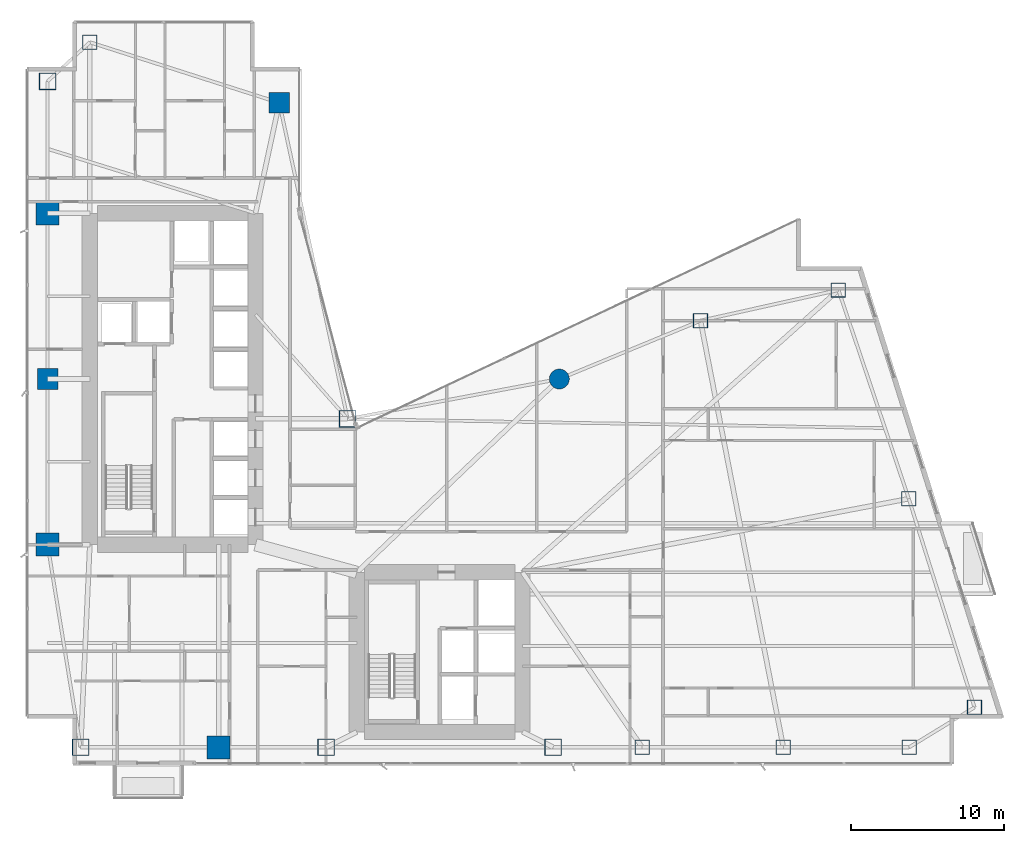
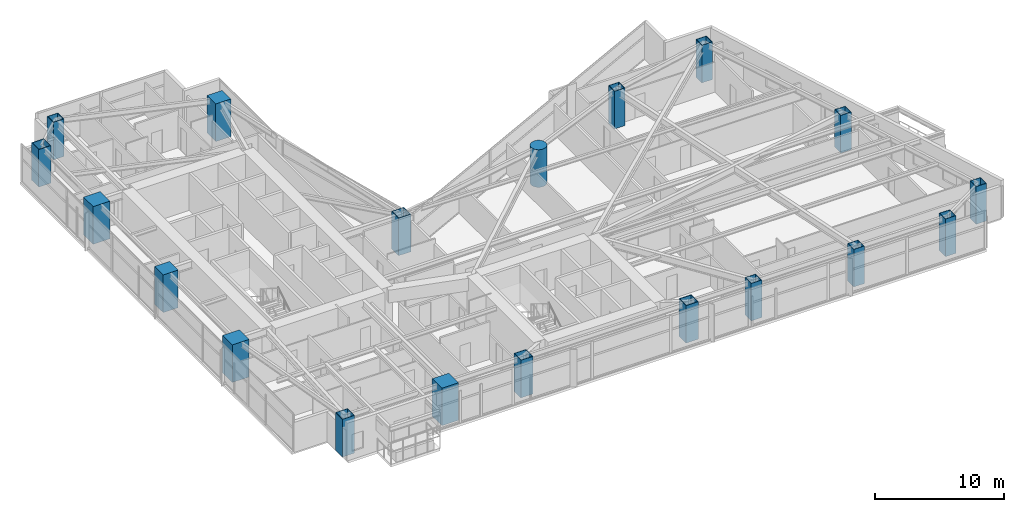
# One storey, part 1 of 29: 19 columns.
"""IFC4 building model written with IfcOpenShell, lengths in metres."""

import ifcopenshell
import ifcopenshell.guid

model = None  # the IFC model being written
_history = None  # IfcOwnerHistory: only IFC2X3 demands one
_inside = {}  # id of a spatial element -> (the spatial element, [elements in it])
_under = {}  # id of a project, library or spatial element -> (it, [spatial elements below it])
_declared = {}  # id of a project -> (the project, [libraries it declares])
_typed = {}  # id of a type object -> (the type object, [elements of that type])
_made_of = {}  # id of a material, layer set ... -> (it, [elements and type objects made of it])


def new_model(schema):
    """Start an empty IFC model of exactly this schema.

    Asked for "IFC4X3", IfcOpenShell would pick the latest addendum, in which some entities
    have other attributes; the version numbers below select the first issue.
    IFC2X3 requires an IfcOwnerHistory on every rooted entity: one is made here for all.
    """
    global model, _history
    if schema == "IFC4X3":
        model = ifcopenshell.file(schema_version=(4, 3, 0, 0))
    else:
        model = ifcopenshell.file(schema=schema)
    _inside.clear()
    _under.clear()
    _declared.clear()
    _typed.clear()
    _made_of.clear()
    _history = None
    if model.schema == "IFC2X3":
        org = make("IfcOrganization", Name="unknown")
        user = make(
            "IfcPersonAndOrganization",
            ThePerson=make("IfcPerson", FamilyName="unknown"),
            TheOrganization=org,
        )
        app = make(
            "IfcApplication",
            ApplicationDeveloper=org,
            Version="unknown",
            ApplicationFullName="unknown",
            ApplicationIdentifier="unknown",
        )
        _history = make(
            "IfcOwnerHistory",
            OwningUser=user,
            OwningApplication=app,
            ChangeAction="ADDED",
            CreationDate=0,
        )
    return model


def make(cls, **values):
    """One entity of the class cls with the attributes given. An attribute that is None is left unset."""
    return model.create_entity(
        cls, **{name: value for name, value in values.items() if value is not None}
    )


def rooted(cls, **values):
    """An entity with a GlobalId (a new one), such as an element, a storey or a relation."""
    return make(cls, GlobalId=ifcopenshell.guid.new(), OwnerHistory=_history, **values)


def si_unit(unit_type, name, prefix=None):
    """IfcSIUnit, for example si_unit("LENGTHUNIT", "METRE", prefix="MILLI")."""
    return make("IfcSIUnit", UnitType=unit_type, Prefix=prefix, Name=name)


def assignment(units):
    """IfcUnitAssignment: the units of a project."""
    return None if units is None else make("IfcUnitAssignment", Units=units)


def point(xyz):
    """IfcCartesianPoint."""
    return None if xyz is None else make("IfcCartesianPoint", Coordinates=xyz)


def direction(xyz):
    """IfcDirection."""
    return None if xyz is None else make("IfcDirection", DirectionRatios=xyz)


def frame(location, z_axis=None, x_axis=None):
    """IfcAxis2Placement3D, a coordinate frame: its origin and axes. An axis left out is left unset."""
    return make(
        "IfcAxis2Placement3D",
        Location=point(location),
        Axis=direction(z_axis),
        RefDirection=direction(x_axis),
    )


def frame_2d(location, x_axis=None):
    """IfcAxis2Placement2D, a coordinate frame in the plane: its origin and x axis."""
    return make(
        "IfcAxis2Placement2D", Location=point(location), RefDirection=direction(x_axis)
    )


def origin():
    """The frame at (0, 0, 0) with its axes left unset."""
    return frame((0.0, 0.0, 0.0))


def origin_2d():
    """The frame at (0, 0) in the plane with its x axis left unset."""
    return frame_2d((0.0, 0.0))


def place(relative_to, where):
    """IfcLocalPlacement: puts the frame where relative to a parent placement (None: the world)."""
    return make(
        "IfcLocalPlacement", PlacementRelTo=relative_to, RelativePlacement=where
    )


def context(
    kind, dimensions, precision=None, world=None, true_north=None, identifier=None
):
    """IfcGeometricRepresentationContext, for example the 3D "Model" context."""
    return make(
        "IfcGeometricRepresentationContext",
        ContextIdentifier=identifier,
        ContextType=kind,
        CoordinateSpaceDimension=dimensions,
        Precision=precision,
        WorldCoordinateSystem=world,
        TrueNorth=true_north,
    )


def subcontext(parent, identifier, kind, view, scale=None):
    """IfcGeometricRepresentationSubContext, for example "Body" below "Model"."""
    return make(
        "IfcGeometricRepresentationSubContext",
        ContextIdentifier=identifier,
        ContextType=kind,
        ParentContext=parent,
        TargetScale=scale,
        TargetView=view,
    )


def project(units=None, contexts=None):
    """IfcProject with its units and contexts."""
    return rooted(
        "IfcProject",
        Name="project",
        RepresentationContexts=contexts,
        UnitsInContext=assignment(units),
    )


def spatial(cls, under=None, at=None, **own):
    """A site, building, storey or space (cls), placed at a placement, below another one or the project."""
    s = rooted(cls, ObjectPlacement=at, **own)
    if under is not None:
        _under.setdefault(under.id(), (under, []))[1].append(s)
    return s


def profile(cls, at=None, kind="AREA", **sizes):
    """A parametric profile (cls). Its sizes go by their IFC names, for example OverallWidth=200.0."""
    return make(cls, ProfileType=kind, Position=at, **sizes)


def rectangle(**sizes):
    """IfcRectangleProfileDef."""
    return profile("IfcRectangleProfileDef", **sizes)


def hollow_rectangle(**sizes):
    """IfcRectangleHollowProfileDef."""
    return profile("IfcRectangleHollowProfileDef", **sizes)


def circle(**sizes):
    """IfcCircleProfileDef."""
    return profile("IfcCircleProfileDef", **sizes)


def extrude(swept, where, along, depth):
    """IfcExtrudedAreaSolid: the profile swept, set in the frame where, extruded along a direction by depth."""
    return make(
        "IfcExtrudedAreaSolid",
        SweptArea=swept,
        Position=where,
        ExtrudedDirection=direction(along),
        Depth=depth,
    )


def shape(context_of_items, identifier, shape_type, items):
    """IfcShapeRepresentation: the items that make up one representation, for example the "Body"."""
    return make(
        "IfcShapeRepresentation",
        ContextOfItems=context_of_items,
        RepresentationIdentifier=identifier,
        RepresentationType=shape_type,
        Items=items,
    )


def material(Name=None, Category=None):
    """IfcMaterial."""
    return make("IfcMaterial", Name=Name, Category=Category)


def material_profile(
    of_material, cross_section, Name=None, Category=None, Priority=None
):
    """IfcMaterialProfile: a cross section and its material."""
    return make(
        "IfcMaterialProfile",
        Name=Name,
        Material=of_material,
        Profile=cross_section,
        Priority=Priority,
        Category=Category,
    )


def profile_set(profiles, Name=None, composite=None):
    """IfcMaterialProfileSet."""
    return make(
        "IfcMaterialProfileSet",
        Name=Name,
        MaterialProfiles=profiles,
        CompositeProfile=composite,
    )


def made_of(thing, what):
    """Note that an element or type object is made of a material, layer set ...; save() writes the relation."""
    if what is not None:
        _made_of.setdefault(what.id(), (what, []))[1].append(thing)
    return thing


def type_object(cls, material=None, **own):
    """A type object (cls), such as IfcWallType, which elements share."""
    return made_of(rooted(cls, **own), material)


def element(
    cls,
    number,
    at=None,
    inside=None,
    cuts=None,
    type_object=None,
    material=None,
    context=None,
    identifier="Body",
    shape_type=None,
    held_by="IfcProductDefinitionShape",
    body=None,
    shapes=None,
    **own,
):
    """One element of the class cls, such as IfcWall. Its Tag is "e" and its number.

    at: its placement. inside: the storey or other place that contains it. cuts: it is an
    opening in that element (IfcRelVoidsElement). A single representation is given by context,
    identifier, shape_type and body (its items); several are given by shapes. held_by: the class
    of the entity that holds the representations. save() writes the other relations.
    """
    e = rooted(cls, Tag="e%d" % number, ObjectPlacement=at, **own)
    if body is not None:
        shapes = [shape(context, identifier, shape_type, body)]
    if shapes is not None:
        e.Representation = make(held_by, Representations=shapes)
    if inside is not None:
        _inside.setdefault(inside.id(), (inside, []))[1].append(e)
    if cuts is not None:
        rooted(
            "IfcRelVoidsElement", RelatingBuildingElement=cuts, RelatedOpeningElement=e
        )
    if type_object is not None:
        _typed.setdefault(type_object.id(), (type_object, []))[1].append(e)
    return made_of(e, material)


def aggregate(whole, parts):
    """IfcRelAggregates: a whole, such as a stair, and the parts it consists of."""
    return rooted("IfcRelAggregates", RelatingObject=whole, RelatedObjects=parts)


def save(model, path):
    """Write the relations noted so far, then the file.

    IfcRelAggregates (storeys below a building ...), IfcRelContainedInSpatialStructure (elements
    in a storey), IfcRelDefinesByType, IfcRelAssociatesMaterial and IfcRelDeclares: one each for
    every whole, place, type object, material and project.
    """
    for whole, parts in _under.values():
        aggregate(whole, parts)
    for where, things in _inside.values():
        rooted(
            "IfcRelContainedInSpatialStructure",
            RelatedElements=things,
            RelatingStructure=where,
        )
    for kind, things in _typed.values():
        rooted("IfcRelDefinesByType", RelatedObjects=things, RelatingType=kind)
    for what, things in _made_of.values():
        rooted("IfcRelAssociatesMaterial", RelatedObjects=things, RelatingMaterial=what)
    for by, libraries in _declared.values():
        rooted("IfcRelDeclares", RelatingContext=by, RelatedDefinitions=libraries)
    model.write(path)


model = new_model("IFC4")

# Units and contexts
model_context = context("Model", 3, precision=1e-05, world=origin(), true_north=direction((0.0, 1.0)))
body_context = subcontext(model_context, "Body", "Model", "MODEL_VIEW")
ifc_project = project(units=[si_unit("LENGTHUNIT", "METRE"), si_unit("AREAUNIT", "SQUARE_METRE"), si_unit("VOLUMEUNIT", "CUBIC_METRE"), si_unit("PLANEANGLEUNIT", "RADIAN"), si_unit("MASSUNIT", "GRAM", prefix="KILO")], contexts=[model_context])

# Site, building, storey
site_placement = place(None, origin())
site = spatial("IfcSite", under=ifc_project, at=site_placement, CompositionType="ELEMENT")
building_placement = place(site_placement, origin())
building = spatial("IfcBuilding", under=site, at=building_placement, Name="Calvorn Quay Hotel", CompositionType="ELEMENT")
storey_placement = place(building_placement, frame((0.0, 0.0, 58.39990234375)))
storey = spatial("IfcBuildingStorey", under=building, at=storey_placement, Name="L13", CompositionType="ELEMENT", Elevation=58.39990234375)

# Columns
ifc_material_1 = material(Name="Concrete C60", Category="concrete")
ifc_material_profile_1 = material_profile(ifc_material_1, rectangle(XDim=1.35009765625, YDim=1.35009765625, at=origin_2d()), Name="RC1350x1350")
ifc_profile_set_1 = profile_set([ifc_material_profile_1], Name="Concrete C60")
column_type_1 = type_object("IfcColumnType", Name="COL-RC-1350", PredefinedType="COLUMN", material=ifc_profile_set_1)
for number, where, z_axis, x_axis, name in (
    (1, (1.449951171875, 27.60009765625, 0.0), (0.0, 0.0, 1.0), (1.0, 0.0, 0.0), "Column C-W3 (L13)"),
    (2, (16.550048828125, 45.60009765625, 0.0), (0.0, 0.0, 1.0), (1.0, 0.0, 0.0), "Column C-IC1 (L13)"),
):
    element("IfcColumn", number, at=place(storey_placement, frame(where, z_axis=z_axis, x_axis=x_axis)), inside=storey, type_object=column_type_1, Name=name, PredefinedType="COLUMN", context=body_context, shape_type="SweptSolid", body=[
        extrude(rectangle(XDim=1.35009765625, YDim=1.35009765625, at=origin_2d()), origin(), (0.0, 0.0, 1.0), 3.56005859375),
    ])
ifc_material_2 = material(Name="Concrete C60", Category="concrete")
ifc_material_profile_2 = material_profile(ifc_material_2, rectangle(XDim=1.5, YDim=1.5, at=origin_2d()), Name="RC1500x1500")
ifc_profile_set_2 = profile_set([ifc_material_profile_2], Name="Concrete C60")
column_type_2 = type_object("IfcColumnType", Name="COL-RC-1500", PredefinedType="COLUMN", material=ifc_profile_set_2)
for number, where, z_axis, x_axis, name in (
    (3, (1.449951171875, 16.800048828125, 0.0), (0.0, 0.0, 1.0), (1.0, 0.0, 0.0), "Column C-W2 (L13)"),
    (4, (1.449951171875, 38.39990234375, 0.0), (0.0, 0.0, 1.0), (1.0, 0.0, 0.0), "Column C-W4 (L13)"),
    (5, (12.60009765625, 3.60009765625, 0.0), (0.0, 0.0, 1.0), (1.0, 0.0, 0.0), "Column C-S1 (L13)"),
):
    element("IfcColumn", number, at=place(storey_placement, frame(where, z_axis=z_axis, x_axis=x_axis)), inside=storey, type_object=column_type_2, Name=name, PredefinedType="COLUMN", context=body_context, shape_type="SweptSolid", body=[
        extrude(rectangle(XDim=1.5, YDim=1.5, at=origin_2d()), origin(), (0.0, 0.0, 1.0), 3.56005859375),
    ])
ifc_material_3 = material(Name="Concrete C60", Category="concrete")
ifc_material_profile_3 = material_profile(ifc_material_3, circle(Radius=0.64990234375, at=origin_2d()), Name="RCD1300")
ifc_profile_set_3 = profile_set([ifc_material_profile_3], Name="Concrete C60")
column_type_3 = type_object("IfcColumnType", Name="COL-RC-D1300", PredefinedType="COLUMN", material=ifc_profile_set_3)
column_placement = place(storey_placement, frame((34.800048828125, 27.60009765625, 0.0), z_axis=(0.0, 0.0, 1.0), x_axis=(1.0, 0.0, 0.0)))
element("IfcColumn", 6, at=column_placement, inside=storey, type_object=column_type_3, Name="Column C-NC1 (L13)", PredefinedType="COLUMN", context=body_context, shape_type="SweptSolid", body=[
    extrude(circle(Radius=0.64990234375, at=origin_2d()), origin(), (0.0, 0.0, 1.0), 3.56005859375),
])
ifc_material_4 = material(Name="Steel Q420GJC", Category="steel")
ifc_material_profile_4 = material_profile(ifc_material_4, hollow_rectangle(XDim=1.10009765625, YDim=1.10009765625, WallThickness=0.044921875, at=origin_2d()), Name="BOX1100x1100x45")
ifc_profile_set_4 = profile_set([ifc_material_profile_4], Name="Steel Q420GJC")
column_type_4 = type_object("IfcColumnType", Name="COL-STL-MEGA1", PredefinedType="COLUMN", material=ifc_profile_set_4)
for number, where, z_axis, x_axis, name in (
    (7, (3.60009765625, 3.60009765625, 0.0), (0.0, 0.0, 1.0), (1.0, 0.0, 0.0), "Column C-W1 (L13)"),
    (8, (1.449951171875, 47.0, 0.0), (0.0, 0.0, 1.0), (1.0, 0.0, 0.0), "Column C-W5 (L13)"),
    (9, (21.0, 25.0, 0.0), (0.0, 0.0, 1.0), (1.0, 0.0, 0.0), "Column C-IC2 (L13)"),
    (10, (19.60009765625, 3.60009765625, 0.0), (0.0, 0.0, 1.0), (1.0, 0.0, 0.0), "Column C-S2 (L13)"),
    (11, (34.39990234375, 3.60009765625, 0.0), (0.0, 0.0, 1.0), (1.0, 0.0, 0.0), "Column C-S3 (L13)"),
):
    element("IfcColumn", number, at=place(storey_placement, frame(where, z_axis=z_axis, x_axis=x_axis)), inside=storey, type_object=column_type_4, Name=name, PredefinedType="COLUMN", context=body_context, shape_type="SweptSolid", body=[
        extrude(hollow_rectangle(XDim=1.10009765625, YDim=1.10009765625, WallThickness=0.044921875, at=origin_2d()), origin(), (0.0, 0.0, 1.0), 3.56005859375),
    ])
ifc_material_5 = material(Name="Steel Q420GJC", Category="steel")
ifc_material_profile_5 = material_profile(ifc_material_5, hollow_rectangle(XDim=0.949951171875, YDim=0.949951171875, WallThickness=0.0400390625, at=origin_2d()), Name="BOX950x950x40")
ifc_profile_set_5 = profile_set([ifc_material_profile_5], Name="Steel Q420GJC")
column_type_5 = type_object("IfcColumnType", Name="COL-STL-MEGA2", PredefinedType="COLUMN", material=ifc_profile_set_5)
for number, where, z_axis, x_axis, name in (
    (12, (4.199951171875, 49.550048828125, 0.0), (0.0, 0.0, 1.0), (1.0, 0.0, 0.0), "Column C-NW1 (L13)"),
    (13, (40.199951171875, 3.60009765625, 0.0), (0.0, 0.0, 1.0), (1.0, 0.0, 0.0), "Column C-S4 (L13)"),
    (14, (49.39990234375, 3.60009765625, 0.0), (0.0, 0.0, 1.0), (1.0, 0.0, 0.0), "Column C-S5 (L13)"),
    (15, (57.60009765625, 3.60009765625, 0.0), (0.0, 0.0, 1.0), (1.0, 0.0, 0.0), "Column C-S6 (L13)"),
    (16, (44.0, 31.39990234375, 0.0), (0.0, 0.0, 1.0), (1.0, 0.0, 0.0), "Column C-NC2 (L13)"),
    (17, (61.861083984375, 6.199951171875, 0.0), (0.0, 0.0, 1.0), (1.0, 0.0, 0.0), "Column C-ET1 (L13)"),
    (18, (57.575927734375, 19.800048828125, 0.0), (0.0, 0.0, 1.0), (1.0, 0.0, 0.0), "Column C-ET2 (L13)"),
    (19, (52.990966796875, 33.39990234375, 0.0), (0.0, 0.0, 1.0), (1.0, 0.0, 0.0), "Column C-ET3 (L13)"),
):
    element("IfcColumn", number, at=place(storey_placement, frame(where, z_axis=z_axis, x_axis=x_axis)), inside=storey, type_object=column_type_5, Name=name, PredefinedType="COLUMN", context=body_context, shape_type="SweptSolid", body=[
        extrude(hollow_rectangle(XDim=0.949951171875, YDim=0.949951171875, WallThickness=0.0400390625, at=origin_2d()), origin(), (0.0, 0.0, 1.0), 3.56005859375),
    ])

save(model, "model.ifc")
